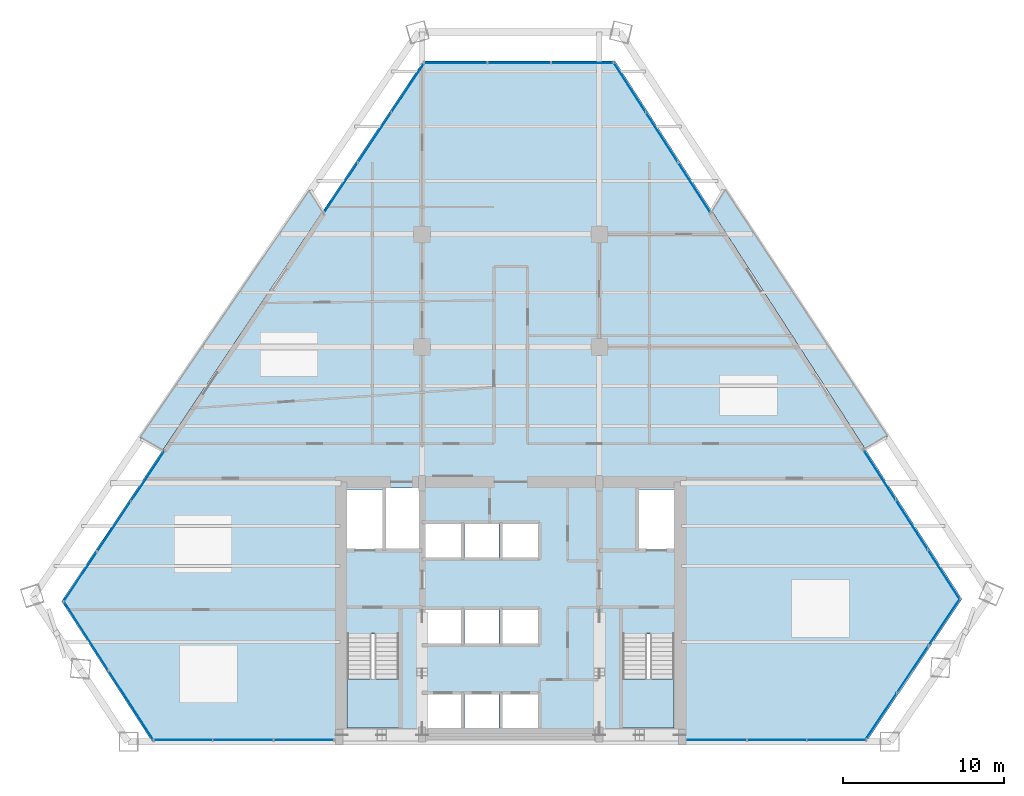
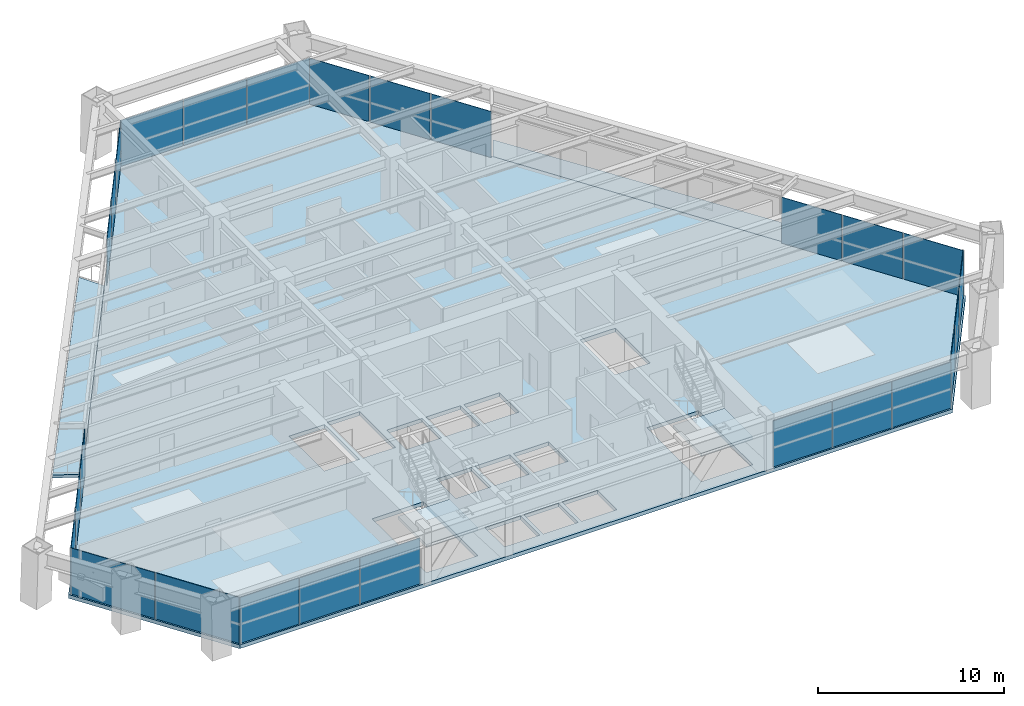
# One storey, part 9 of 14: 26 plates, 5 slabs, 11 elements without a shape of their own.
"""IFC4 building model written with IfcOpenShell, lengths in metres."""

from ifc_helpers import new_model, si_unit, direction, frame, origin, origin_2d, place, context, subcontext, project, spatial, polyline, rectangle, outline, extrude, source, transform, mapped, material, layer, layer_set, type_object, element, aggregate, save


model = new_model("IFC4")

# Units and contexts
model_context = context("Model", 3, precision=1e-05, world=origin(), true_north=direction((0.0, 1.0)))
body_context = subcontext(model_context, "Body", "Model", "MODEL_VIEW")
ifc_project = project(units=[si_unit("LENGTHUNIT", "METRE"), si_unit("AREAUNIT", "SQUARE_METRE"), si_unit("VOLUMEUNIT", "CUBIC_METRE"), si_unit("PLANEANGLEUNIT", "RADIAN"), si_unit("MASSUNIT", "GRAM", prefix="KILO")], contexts=[model_context])

# Site, building, storey
site_placement = place(None, origin())
site = spatial("IfcSite", under=ifc_project, at=site_placement, CompositionType="ELEMENT")
building_placement = place(site_placement, origin())
building = spatial("IfcBuilding", under=site, at=building_placement, Name="Varnakhor Terracotta Tower", CompositionType="ELEMENT")
storey_placement = place(building_placement, frame((0.0, 0.0, 102.5)))
storey = spatial("IfcBuildingStorey", under=building, at=storey_placement, Name="L25", CompositionType="ELEMENT", Elevation=102.5)

# Stair, slab
ifc_material_1 = material(Name="Concrete C40/50", Category="concrete")
stair_type = type_object("IfcStairType", Name="STR-CORE-OFFICE-1500", PredefinedType="HALF_TURN_STAIR", material=ifc_material_1)
stair_1_placement = place(storey_placement, origin())
stair_1 = element("IfcStair", 1, at=stair_1_placement, inside=storey, type_object=stair_type, Name="L25 Core Exit Stair ST-1", PredefinedType="HALF_TURN_STAIR")
ifc_layer_1 = layer(ifc_material_1, 0.179931640625, Name="Concrete C40/50")
ifc_layer_set_1 = layer_set([ifc_layer_1], Name="Concrete C40/50")
slab_type_1 = type_object("IfcSlabType", Name="SLB-LANDING-180", PredefinedType="LANDING", material=ifc_layer_set_1)
slab_1_placement = place(storey_placement, frame((0.0, 0.0, 1.64990234375)))
slab_1 = element("IfcSlab", 2, at=slab_1_placement, type_object=slab_type_1, Name="ST-1 landing 1", PredefinedType="LANDING", context=body_context, shape_type="SweptSolid", body=[
    extrude(outline(polyline([(-10.14990234375, 3.909912109375), (-10.14990234375, 0.85009765625), (-6.949951171875, 0.85009765625), (-6.949951171875, 3.909912109375), (-10.14990234375, 3.909912109375)])), origin(), (0.0, 0.0, 1.0), 0.2001953125),
])
aggregate(stair_1, [slab_1])

stair_2_placement = place(storey_placement, origin())
stair_2 = element("IfcStair", 3, at=stair_2_placement, inside=storey, type_object=stair_type, Name="L25 Core Exit Stair ST-2", PredefinedType="HALF_TURN_STAIR")
slab_2_placement = place(storey_placement, frame((0.0, 0.0, 1.64990234375)))
slab_2 = element("IfcSlab", 4, at=slab_2_placement, type_object=slab_type_1, Name="ST-2 landing 1", PredefinedType="LANDING", context=body_context, shape_type="SweptSolid", body=[
    extrude(outline(polyline([(6.949951171875, 3.909912109375), (6.949951171875, 0.85009765625), (10.14990234375, 0.85009765625), (10.14990234375, 3.909912109375), (6.949951171875, 3.909912109375)])), origin(), (0.0, 0.0, 1.0), 0.2001953125),
])
aggregate(stair_2, [slab_2])

# Slabs
ifc_layer_2 = layer(ifc_material_1, 0.195068359375, Name="Concrete C40/50")
ifc_layer_set_2 = layer_set([ifc_layer_2], Name="Concrete C40/50")
slab_type_2 = type_object("IfcSlabType", Name="SLB-LOGGIA-EXT-195", PredefinedType="FLOOR", material=ifc_layer_set_2)
slab_3_placement = place(storey_placement, frame((0.0, 0.0, -0.195068359375)))
element("IfcSlab", 5, at=slab_3_placement, inside=storey, type_object=slab_type_2, Name="L25 E Recessed Outdoor Loggia Slab", PredefinedType="FLOOR", context=body_context, shape_type="SweptSolid", body=[
    extrude(outline(polyline([(13.291748046875, 34.29296875), (23.402587890625, 18.974365234375), (21.9833984375, 18.211181640625), (12.5029296875, 32.913818359375), (13.291748046875, 34.29296875)])), origin(), (0.0, 0.0, 1.0), 0.195068359375),
])
slab_4_placement = place(storey_placement, frame((0.0, 0.0, -0.195068359375)))
element("IfcSlab", 6, at=slab_4_placement, inside=storey, type_object=slab_type_2, Name="L25 W Recessed Outdoor Loggia Slab", PredefinedType="FLOOR", context=body_context, shape_type="SweptSolid", body=[
    extrude(outline(polyline([(-23.0146484375, 18.875), (-12.493896484375, 34.25439453125), (-11.70361328125, 32.876708984375), (-12.992431640625, 30.952880859375), (-21.59130859375, 18.115966796875), (-23.0146484375, 18.875)])), origin(), (0.0, 0.0, 1.0), 0.195068359375),
])
ifc_layer_3 = layer(ifc_material_1, 0.25, Name="Concrete C40/50")
ifc_layer_set_3 = layer_set([ifc_layer_3], Name="Concrete C40/50")
slab_type_3 = type_object("IfcSlabType", Name="SLB-OFF-250", PredefinedType="FLOOR", material=ifc_layer_set_3)
slab_5_placement = place(storey_placement, frame((0.0, 0.0, -0.25)))
element("IfcSlab", 7, at=slab_5_placement, inside=storey, type_object=slab_type_3, Name="L25 Structural Floor Slab", PredefinedType="FLOOR", context=body_context, shape_type="SweptSolid", body=[
    extrude(outline(polyline([(-27.883544921875, 8.722900390625), (-5.41162109375, 42.269775390625), (6.4697265625, 42.269775390625), (28.0166015625, 8.855224609375), (22.084716796875, 0.0), (-22.2587890625, 0.0), (-27.883544921875, 8.722900390625)]), holes=[polyline([(-3.10009765625, 0.85009765625), (-3.10009765625, 2.949951171875), (-5.300048828125, 2.949951171875), (-5.300048828125, 0.85009765625), (-3.10009765625, 0.85009765625)]), polyline([(-2.8798828125, 0.85009765625), (-0.719970703125, 0.85009765625), (-0.719970703125, 2.949951171875), (-2.8798828125, 2.949951171875), (-2.8798828125, 0.85009765625)]), polyline([(-10.14990234375, 0.85009765625), (-6.949951171875, 0.85009765625), (-6.949951171875, 6.695068359375), (-10.14990234375, 6.695068359375), (-10.14990234375, 0.85009765625)]), polyline([(-5.300048828125, 6.10009765625), (-3.10009765625, 6.10009765625), (-3.10009765625, 8.199951171875), (-5.300048828125, 8.199951171875), (-5.300048828125, 6.10009765625)]), polyline([(-5.300048828125, 11.419921875), (-3.10009765625, 11.419921875), (-3.10009765625, 13.52001953125), (-5.300048828125, 13.52001953125), (-5.300048828125, 11.419921875)]), polyline([(-10.14990234375, 11.8798828125), (-7.949951171875, 11.8798828125), (-7.949951171875, 15.64990234375), (-10.14990234375, 15.64990234375), (-10.14990234375, 11.8798828125)]), polyline([(-7.72998046875, 11.8798828125), (-5.699951171875, 11.8798828125), (-5.699951171875, 15.75), (-7.72998046875, 15.75), (-7.72998046875, 11.8798828125)]), polyline([(1.699951171875, 0.85009765625), (1.699951171875, 2.949951171875), (-0.5, 2.949951171875), (-0.5, 0.85009765625), (1.699951171875, 0.85009765625)]), polyline([(6.949951171875, 0.85009765625), (10.14990234375, 0.85009765625), (10.14990234375, 6.695068359375), (6.949951171875, 6.695068359375), (6.949951171875, 0.85009765625)]), polyline([(-2.8798828125, 6.10009765625), (-0.719970703125, 6.10009765625), (-0.719970703125, 8.199951171875), (-2.8798828125, 8.199951171875), (-2.8798828125, 6.10009765625)]), polyline([(-0.5, 6.10009765625), (1.699951171875, 6.10009765625), (1.699951171875, 8.199951171875), (-0.5, 8.199951171875), (-0.5, 6.10009765625)]), polyline([(-2.8798828125, 11.419921875), (-0.719970703125, 11.419921875), (-0.719970703125, 13.52001953125), (-2.8798828125, 13.52001953125), (-2.8798828125, 11.419921875)]), polyline([(-0.5, 11.419921875), (1.699951171875, 11.419921875), (1.699951171875, 13.52001953125), (-0.5, 13.52001953125), (-0.5, 11.419921875)]), polyline([(7.949951171875, 11.8798828125), (10.14990234375, 11.8798828125), (10.14990234375, 15.64990234375), (7.949951171875, 15.64990234375), (7.949951171875, 11.8798828125)])]), origin(), (0.0, 0.0, 1.0), 0.25),
])

# Curtain wall, plates
ifc_material_2 = material(Name="Anodised Aluminium Curtain Wall System", Category="aluminium")
curtain_wall_type = type_object("IfcCurtainWallType", Name="CW-SYS-LOW-OFFICE", PredefinedType="NOTDEFINED", material=ifc_material_2)
curtain_wall_1_placement = place(storey_placement, origin())
curtain_wall_1 = element("IfcCurtainWall", 8, at=curtain_wall_1_placement, inside=storey, type_object=curtain_wall_type, Name="L25 W Facet Curtain Wall 1", PredefinedType="NOTDEFINED")
ifc_material_3 = material(Name="Solar-Control Low-E Insulated Glass Panel", Category="glass")
ifc_layer_4 = layer(ifc_material_3, 0.0380859375, Name="Solar-Control Low-E Insulated Glass Panel")
ifc_layer_set_4 = layer_set([ifc_layer_4], Name="Solar-Control Low-E Insulated Glass Panel")
plate_type = type_object("IfcPlateType", Name="CWP-02", PredefinedType="CURTAIN_PANEL", material=ifc_layer_set_4)
shared_shape_1 = source(origin(), body_context, "Body", "SweptSolid", [
    extrude(rectangle(XDim=3.70849609375, YDim=0.035888671875, at=origin_2d()), origin(), (0.0, 0.0, 1.0), 3.030029296875),
])
plate_1_placement = place(storey_placement, frame((-26.72412109375, 10.23828125, 0.0), z_axis=(0.0, 0.0, 1.0), x_axis=(0.556542149065, 0.830819376467, 0.0)))
plate_1 = element("IfcPlate", 9, at=plate_1_placement, type_object=plate_type, Name="L25 W Facet Curtain Wall 1 Glazed Panel 1", PredefinedType="CURTAIN_PANEL", context=body_context, shape_type="MappedRepresentation", body=[
    mapped(shared_shape_1, transform((0.0, 0.0, 0.0), scale=1.0)),
])
plate_2_placement = place(storey_placement, frame((-24.6376953125, 13.352783203125, 0.0), z_axis=(0.0, 0.0, 1.0), x_axis=(0.556542149065, 0.830819376467, 0.0)))
plate_2 = element("IfcPlate", 10, at=plate_2_placement, type_object=plate_type, Name="L25 W Facet Curtain Wall 1 Glazed Panel 2", PredefinedType="CURTAIN_PANEL", context=body_context, shape_type="MappedRepresentation", body=[
    mapped(shared_shape_1, transform((0.0, 0.0, 0.0), scale=1.0)),
])
plate_3_placement = place(storey_placement, frame((-22.551513671875, 16.467041015625, 0.0), z_axis=(0.0, 0.0, 1.0), x_axis=(0.556542149065, 0.830819376467, 0.0)))
plate_3 = element("IfcPlate", 11, at=plate_3_placement, type_object=plate_type, Name="L25 W Facet Curtain Wall 1 Glazed Panel 3", PredefinedType="CURTAIN_PANEL", context=body_context, shape_type="MappedRepresentation", body=[
    mapped(shared_shape_1, transform((0.0, 0.0, 0.0), scale=1.0)),
])
aggregate(curtain_wall_1, [plate_1, plate_2, plate_3])

curtain_wall_2_placement = place(storey_placement, origin())
curtain_wall_2 = element("IfcCurtainWall", 12, at=curtain_wall_2_placement, inside=storey, type_object=curtain_wall_type, Name="L25 W Facet Curtain Wall 2", PredefinedType="NOTDEFINED")
plate_4_placement = place(storey_placement, frame((-10.544189453125, 34.39208984375, 0.0), z_axis=(0.0, 0.0, 1.0), x_axis=(0.556542149065, 0.830819376467, 0.0)))
plate_4 = element("IfcPlate", 13, at=plate_4_placement, type_object=plate_type, Name="L25 W Facet Curtain Wall 2 Glazed Panel 1", PredefinedType="CURTAIN_PANEL", context=body_context, shape_type="MappedRepresentation", body=[
    mapped(shared_shape_1, transform((0.0, 0.0, 0.0), scale=1.0)),
])
plate_5_placement = place(storey_placement, frame((-6.37158203125, 40.620849609375, 0.0), z_axis=(0.0, 0.0, 1.0), x_axis=(0.556542149065, 0.830819376467, 0.0)))
plate_5 = element("IfcPlate", 14, at=plate_5_placement, type_object=plate_type, Name="L25 W Facet Curtain Wall 2 Glazed Panel 3", PredefinedType="CURTAIN_PANEL", context=body_context, shape_type="MappedRepresentation", body=[
    mapped(shared_shape_1, transform((0.0, 0.0, 0.0), scale=1.0)),
])
shared_shape_2 = source(origin(), body_context, "Body", "SweptSolid", [
    extrude(rectangle(XDim=3.708740234375, YDim=0.035888671875, at=origin_2d()), origin(), (0.0, 0.0, 1.0), 3.030029296875),
])
plate_6_placement = place(storey_placement, frame((-8.4580078125, 37.506591796875, 0.0), z_axis=(0.0, 0.0, 1.0), x_axis=(0.556542149065, 0.830819376467, 0.0)))
plate_6 = element("IfcPlate", 15, at=plate_6_placement, type_object=plate_type, Name="L25 W Facet Curtain Wall 2 Glazed Panel 2", PredefinedType="CURTAIN_PANEL", context=body_context, shape_type="MappedRepresentation", body=[
    mapped(shared_shape_2, transform((0.0, 0.0, 0.0), scale=1.0)),
])
aggregate(curtain_wall_2, [plate_4, plate_6, plate_5])

curtain_wall_3_placement = place(storey_placement, origin())
curtain_wall_3 = element("IfcCurtainWall", 16, at=curtain_wall_3_placement, inside=storey, type_object=curtain_wall_type, Name="L25 Facet Curtain Wall 2", PredefinedType="NOTDEFINED")
shared_shape_3 = source(origin(), body_context, "Body", "SweptSolid", [
    extrude(rectangle(XDim=3.900390625, YDim=0.035888671875, at=origin_2d()), origin(), (0.0, 0.0, 1.0), 3.030029296875),
])
plate_7_placement = place(storey_placement, frame((-3.411376953125, 42.14990234375, 0.0), z_axis=(0.0, 0.0, 1.0), x_axis=(1.0, 0.0, 0.0)))
plate_7 = element("IfcPlate", 17, at=plate_7_placement, type_object=plate_type, Name="L25 Facet Curtain Wall 2 Glazed Panel 1", PredefinedType="CURTAIN_PANEL", context=body_context, shape_type="MappedRepresentation", body=[
    mapped(shared_shape_3, transform((0.0, 0.0, 0.0), scale=1.0)),
])
plate_8_placement = place(storey_placement, frame((0.529052734375, 42.14990234375, 0.0), z_axis=(0.0, 0.0, 1.0), x_axis=(1.0, 0.0, 0.0)))
plate_8 = element("IfcPlate", 18, at=plate_8_placement, type_object=plate_type, Name="L25 Facet Curtain Wall 2 Glazed Panel 2", PredefinedType="CURTAIN_PANEL", context=body_context, shape_type="MappedRepresentation", body=[
    mapped(shared_shape_3, transform((0.0, 0.0, 0.0), scale=1.0)),
])
plate_9_placement = place(storey_placement, frame((4.469482421875, 42.14990234375, 0.0), z_axis=(0.0, 0.0, 1.0), x_axis=(1.0, 0.0, 0.0)))
plate_9 = element("IfcPlate", 19, at=plate_9_placement, type_object=plate_type, Name="L25 Facet Curtain Wall 2 Glazed Panel 3", PredefinedType="CURTAIN_PANEL", context=body_context, shape_type="MappedRepresentation", body=[
    mapped(shared_shape_3, transform((0.0, 0.0, 0.0), scale=1.0)),
])
aggregate(curtain_wall_3, [plate_7, plate_8, plate_9])

curtain_wall_4_placement = place(storey_placement, origin())
curtain_wall_4 = element("IfcCurtainWall", 20, at=curtain_wall_4_placement, inside=storey, type_object=curtain_wall_type, Name="L25 E Facet Curtain Wall 1", PredefinedType="NOTDEFINED")
shared_shape_4 = source(origin(), body_context, "Body", "SweptSolid", [
    extrude(rectangle(XDim=3.65087890625, YDim=0.035888671875, at=origin_2d()), origin(), (0.0, 0.0, 1.0), 3.030029296875),
])
plate_10_placement = place(storey_placement, frame((7.38525390625, 40.628662109375, 0.0), z_axis=(0.0, 0.0, 1.0), x_axis=(0.541928251538, -0.840424755814, 0.0)))
plate_10 = element("IfcPlate", 21, at=plate_10_placement, type_object=plate_type, Name="L25 E Facet Curtain Wall 1 Glazed Panel 1", PredefinedType="CURTAIN_PANEL", context=body_context, shape_type="MappedRepresentation", body=[
    mapped(shared_shape_4, transform((0.0, 0.0, 0.0), scale=1.0)),
])
plate_11_placement = place(storey_placement, frame((9.385498046875, 37.526611328125, 0.0), z_axis=(0.0, 0.0, 1.0), x_axis=(0.541928251538, -0.840424755814, 0.0)))
plate_11 = element("IfcPlate", 22, at=plate_11_placement, type_object=plate_type, Name="L25 E Facet Curtain Wall 1 Glazed Panel 2", PredefinedType="CURTAIN_PANEL", context=body_context, shape_type="MappedRepresentation", body=[
    mapped(shared_shape_4, transform((0.0, 0.0, 0.0), scale=1.0)),
])
plate_12_placement = place(storey_placement, frame((11.3857421875, 34.4248046875, 0.0), z_axis=(0.0, 0.0, 1.0), x_axis=(0.541928251538, -0.840424755814, 0.0)))
plate_12 = element("IfcPlate", 23, at=plate_12_placement, type_object=plate_type, Name="L25 E Facet Curtain Wall 1 Glazed Panel 3", PredefinedType="CURTAIN_PANEL", context=body_context, shape_type="MappedRepresentation", body=[
    mapped(shared_shape_4, transform((0.0, 0.0, 0.0), scale=1.0)),
])
aggregate(curtain_wall_4, [plate_10, plate_11, plate_12])

curtain_wall_5_placement = place(storey_placement, origin())
curtain_wall_5 = element("IfcCurtainWall", 24, at=curtain_wall_5_placement, inside=storey, type_object=curtain_wall_type, Name="L25 E Facet Curtain Wall 2", PredefinedType="NOTDEFINED")
plate_13_placement = place(storey_placement, frame((22.89892578125, 16.570068359375, 0.0), z_axis=(0.0, 0.0, 1.0), x_axis=(0.541928251538, -0.840424755814, 0.0)))
plate_13 = element("IfcPlate", 25, at=plate_13_placement, type_object=plate_type, Name="L25 E Facet Curtain Wall 2 Glazed Panel 1", PredefinedType="CURTAIN_PANEL", context=body_context, shape_type="MappedRepresentation", body=[
    mapped(shared_shape_4, transform((0.0, 0.0, 0.0), scale=1.0)),
])
plate_14_placement = place(storey_placement, frame((24.899169921875, 13.46826171875, 0.0), z_axis=(0.0, 0.0, 1.0), x_axis=(0.541928251538, -0.840424755814, 0.0)))
plate_14 = element("IfcPlate", 26, at=plate_14_placement, type_object=plate_type, Name="L25 E Facet Curtain Wall 2 Glazed Panel 2", PredefinedType="CURTAIN_PANEL", context=body_context, shape_type="MappedRepresentation", body=[
    mapped(shared_shape_4, transform((0.0, 0.0, 0.0), scale=1.0)),
])
plate_15_placement = place(storey_placement, frame((26.8994140625, 10.366455078125, 0.0), z_axis=(0.0, 0.0, 1.0), x_axis=(0.541928251538, -0.840424755814, 0.0)))
plate_15 = element("IfcPlate", 27, at=plate_15_placement, type_object=plate_type, Name="L25 E Facet Curtain Wall 2 Glazed Panel 3", PredefinedType="CURTAIN_PANEL", context=body_context, shape_type="MappedRepresentation", body=[
    mapped(shared_shape_4, transform((0.0, 0.0, 0.0), scale=1.0)),
])
aggregate(curtain_wall_5, [plate_13, plate_14, plate_15])

curtain_wall_6_placement = place(storey_placement, origin())
curtain_wall_6 = element("IfcCurtainWall", 28, at=curtain_wall_6_placement, inside=storey, type_object=curtain_wall_type, Name="L25 Facet Curtain Wall 4", PredefinedType="NOTDEFINED")
shared_shape_5 = source(origin(), body_context, "Body", "SweptSolid", [
    extrude(rectangle(XDim=3.492919921875, YDim=0.035888671875, at=origin_2d()), origin(), (0.0, 0.0, 1.0), 3.030029296875),
])
plate_16_placement = place(storey_placement, frame((26.9169921875, 7.429443359375, 0.0), z_axis=(0.0, 0.0, 1.0), x_axis=(-0.556542149065, -0.830819376467, 0.0)))
plate_16 = element("IfcPlate", 29, at=plate_16_placement, type_object=plate_type, Name="L25 Facet Curtain Wall 4 Glazed Panel 1", PredefinedType="CURTAIN_PANEL", context=body_context, shape_type="MappedRepresentation", body=[
    mapped(shared_shape_5, transform((0.0, 0.0, 0.0), scale=1.0)),
])
plate_17_placement = place(storey_placement, frame((24.950927734375, 4.494384765625, 0.0), z_axis=(0.0, 0.0, 1.0), x_axis=(-0.556542149065, -0.830819376467, 0.0)))
plate_17 = element("IfcPlate", 30, at=plate_17_placement, type_object=plate_type, Name="L25 Facet Curtain Wall 4 Glazed Panel 2", PredefinedType="CURTAIN_PANEL", context=body_context, shape_type="MappedRepresentation", body=[
    mapped(shared_shape_5, transform((0.0, 0.0, 0.0), scale=1.0)),
])
plate_18_placement = place(storey_placement, frame((22.98486328125, 1.559326171875, 0.0), z_axis=(0.0, 0.0, 1.0), x_axis=(-0.556542149065, -0.830819376467, 0.0)))
plate_18 = element("IfcPlate", 31, at=plate_18_placement, type_object=plate_type, Name="L25 Facet Curtain Wall 4 Glazed Panel 3", PredefinedType="CURTAIN_PANEL", context=body_context, shape_type="MappedRepresentation", body=[
    mapped(shared_shape_5, transform((0.0, 0.0, 0.0), scale=1.0)),
])
aggregate(curtain_wall_6, [plate_16, plate_17, plate_18])

curtain_wall_7_placement = place(storey_placement, origin())
curtain_wall_7 = element("IfcCurtainWall", 32, at=curtain_wall_7_placement, inside=storey, type_object=curtain_wall_type, Name="L25 South Wing Curtain Wall SSE", PredefinedType="NOTDEFINED")
shared_shape_6 = source(origin(), body_context, "Body", "SweptSolid", [
    extrude(rectangle(XDim=3.66162109375, YDim=0.035888671875, at=origin_2d()), origin(), (0.0, 0.0, 1.0), 3.030029296875),
])
plate_19_placement = place(storey_placement, frame((20.223876953125, 0.1201171875, 0.0), z_axis=(0.0, 0.0, 1.0), x_axis=(-1.0, 0.0, 0.0)))
plate_19 = element("IfcPlate", 33, at=plate_19_placement, type_object=plate_type, Name="L25 South Wing Curtain Wall SSE Glazed Panel 1", PredefinedType="CURTAIN_PANEL", context=body_context, shape_type="MappedRepresentation", body=[
    mapped(shared_shape_6, transform((0.0, 0.0, 0.0), scale=1.0)),
])
plate_20_placement = place(storey_placement, frame((16.522216796875, 0.1201171875, 0.0), z_axis=(0.0, 0.0, 1.0), x_axis=(-1.0, 0.0, 0.0)))
plate_20 = element("IfcPlate", 34, at=plate_20_placement, type_object=plate_type, Name="L25 South Wing Curtain Wall SSE Glazed Panel 2", PredefinedType="CURTAIN_PANEL", context=body_context, shape_type="MappedRepresentation", body=[
    mapped(shared_shape_6, transform((0.0, 0.0, 0.0), scale=1.0)),
])
plate_21_placement = place(storey_placement, frame((12.82080078125, 0.1201171875, 0.0), z_axis=(0.0, 0.0, 1.0), x_axis=(-1.0, 0.0, 0.0)))
plate_21 = element("IfcPlate", 35, at=plate_21_placement, type_object=plate_type, Name="L25 South Wing Curtain Wall SSE Glazed Panel 3", PredefinedType="CURTAIN_PANEL", context=body_context, shape_type="MappedRepresentation", body=[
    mapped(shared_shape_6, transform((0.0, 0.0, 0.0), scale=1.0)),
])
aggregate(curtain_wall_7, [plate_19, plate_20, plate_21])

curtain_wall_8_placement = place(storey_placement, origin())
curtain_wall_8 = element("IfcCurtainWall", 36, at=curtain_wall_8_placement, inside=storey, type_object=curtain_wall_type, Name="L25 South Wing Curtain Wall SSW", PredefinedType="NOTDEFINED")
shared_shape_7 = source(origin(), body_context, "Body", "SweptSolid", [
    extrude(rectangle(XDim=3.719482421875, YDim=0.035888671875, at=origin_2d()), origin(), (0.0, 0.0, 1.0), 3.030029296875),
])
plate_22_placement = place(storey_placement, frame((-12.849853515625, 0.1201171875, 0.0), z_axis=(0.0, 0.0, 1.0), x_axis=(-1.0, 0.0, 0.0)))
plate_22 = element("IfcPlate", 37, at=plate_22_placement, type_object=plate_type, Name="L25 South Wing Curtain Wall SSW Glazed Panel 1", PredefinedType="CURTAIN_PANEL", context=body_context, shape_type="MappedRepresentation", body=[
    mapped(shared_shape_7, transform((0.0, 0.0, 0.0), scale=1.0)),
])
plate_23_placement = place(storey_placement, frame((-16.609375, 0.1201171875, 0.0), z_axis=(0.0, 0.0, 1.0), x_axis=(-1.0, 0.0, 0.0)))
plate_23 = element("IfcPlate", 38, at=plate_23_placement, type_object=plate_type, Name="L25 South Wing Curtain Wall SSW Glazed Panel 2", PredefinedType="CURTAIN_PANEL", context=body_context, shape_type="MappedRepresentation", body=[
    mapped(shared_shape_7, transform((0.0, 0.0, 0.0), scale=1.0)),
])
plate_24_placement = place(storey_placement, frame((-20.368896484375, 0.1201171875, 0.0), z_axis=(0.0, 0.0, 1.0), x_axis=(-1.0, 0.0, 0.0)))
plate_24 = element("IfcPlate", 39, at=plate_24_placement, type_object=plate_type, Name="L25 South Wing Curtain Wall SSW Glazed Panel 3", PredefinedType="CURTAIN_PANEL", context=body_context, shape_type="MappedRepresentation", body=[
    mapped(shared_shape_7, transform((0.0, 0.0, 0.0), scale=1.0)),
])
aggregate(curtain_wall_8, [plate_22, plate_23, plate_24])

curtain_wall_9_placement = place(storey_placement, origin())
curtain_wall_9 = element("IfcCurtainWall", 40, at=curtain_wall_9_placement, inside=storey, type_object=curtain_wall_type, Name="L25 Facet Curtain Wall 6", PredefinedType="NOTDEFINED")
shared_shape_8 = source(origin(), body_context, "Body", "SweptSolid", [
    extrude(rectangle(XDim=5.11962890625, YDim=0.035888671875, at=origin_2d()), origin(), (0.0, 0.0, 1.0), 3.030029296875),
])
plate_25_placement = place(storey_placement, frame((-23.572265625, 2.25830078125, 0.0), z_axis=(0.0, 0.0, 1.0), x_axis=(-0.541928251538, 0.840424755814, 0.0)))
plate_25 = element("IfcPlate", 41, at=plate_25_placement, type_object=plate_type, Name="L25 Facet Curtain Wall 6 Glazed Panel 1", PredefinedType="CURTAIN_PANEL", context=body_context, shape_type="MappedRepresentation", body=[
    mapped(shared_shape_8, transform((0.0, 0.0, 0.0), scale=1.0)),
])
shared_shape_9 = source(origin(), body_context, "Body", "SweptSolid", [
    extrude(rectangle(XDim=5.119384765625, YDim=0.035888671875, at=origin_2d()), origin(), (0.0, 0.0, 1.0), 3.030029296875),
])
plate_26_placement = place(storey_placement, frame((-26.368408203125, 6.594482421875, 0.0), z_axis=(0.0, 0.0, 1.0), x_axis=(-0.541928251538, 0.840424755814, 0.0)))
plate_26 = element("IfcPlate", 42, at=plate_26_placement, type_object=plate_type, Name="L25 Facet Curtain Wall 6 Glazed Panel 2", PredefinedType="CURTAIN_PANEL", context=body_context, shape_type="MappedRepresentation", body=[
    mapped(shared_shape_9, transform((0.0, 0.0, 0.0), scale=1.0)),
])
aggregate(curtain_wall_9, [plate_25, plate_26])

save(model, "model.ifc")
